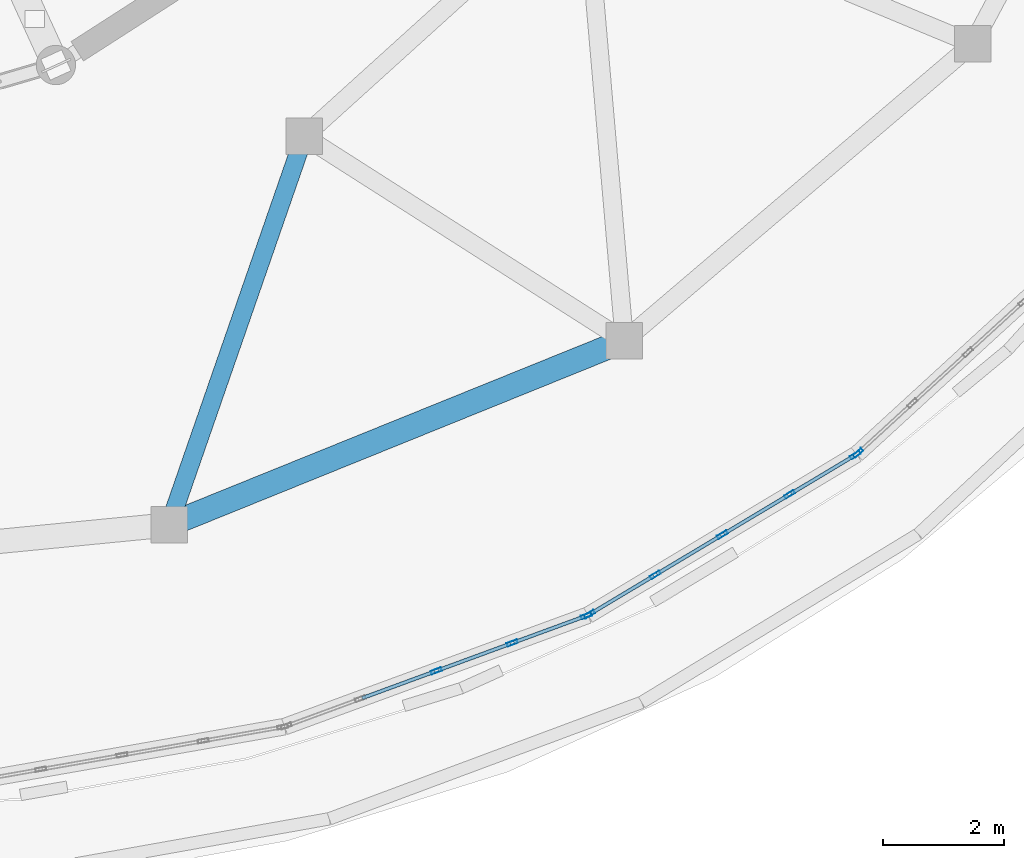
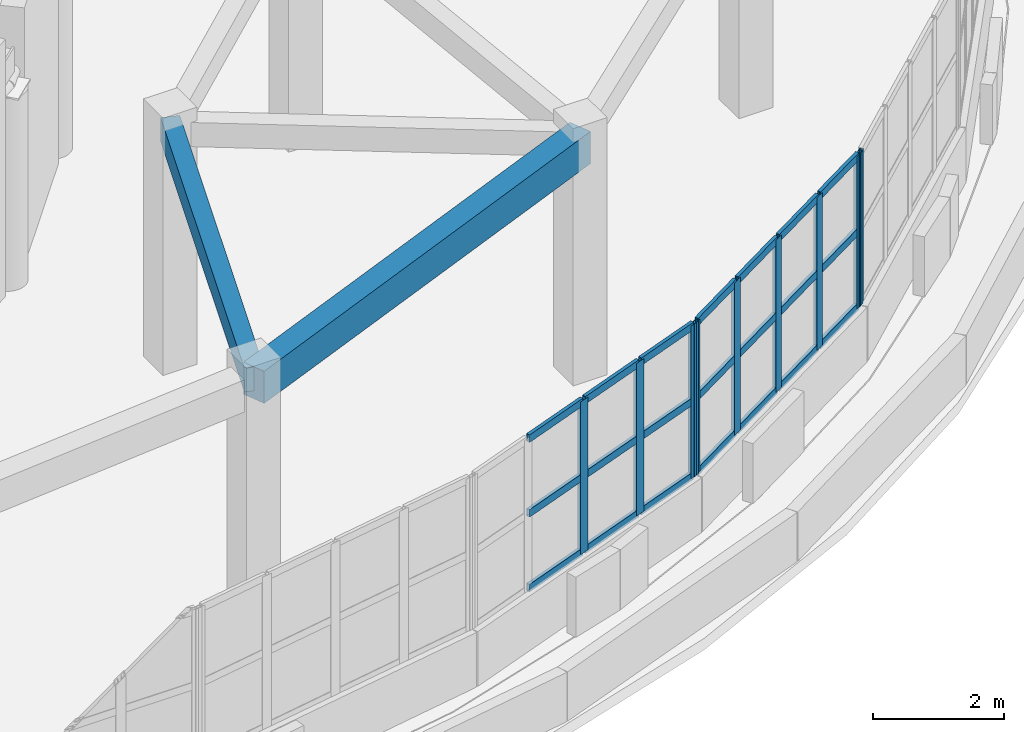
# One storey, part 14 of 69: 30 members, 2 beams, 3 elements without a shape of their own.
"""IFC4 building model written with IfcOpenShell, lengths in metres."""

from ifc_helpers import new_model, si_unit, direction, frame, origin, origin_2d, place, context, subcontext, project, spatial, rectangle, hollow_rectangle, extrude, material, layer, layer_set, material_profile, profile_set, type_object, element, aggregate, save


model = new_model("IFC4")

# Units and contexts
model_context = context("Model", 3, precision=1e-05, world=origin(), true_north=direction((0.0, 1.0)))
body_context = subcontext(model_context, "Body", "Model", "MODEL_VIEW")
ifc_project = project(units=[si_unit("LENGTHUNIT", "METRE"), si_unit("AREAUNIT", "SQUARE_METRE"), si_unit("VOLUMEUNIT", "CUBIC_METRE"), si_unit("PLANEANGLEUNIT", "RADIAN"), si_unit("MASSUNIT", "GRAM", prefix="KILO")], contexts=[model_context])

# Site, building, storey
site_placement = place(None, origin())
site = spatial("IfcSite", under=ifc_project, at=site_placement, CompositionType="ELEMENT")
building_placement = place(site_placement, origin())
building = spatial("IfcBuilding", under=site, at=building_placement, Name="Pelvatis Terrace Science Centre", CompositionType="ELEMENT")
storey_placement = place(building_placement, frame((0.0, 0.0, 15.0)))
storey = spatial("IfcBuildingStorey", under=building, at=storey_placement, Name="L03", CompositionType="ELEMENT", Elevation=15.0)

# Beams
ifc_material_1 = material(Name="Concrete C35/45", Category="concrete")
ifc_material_profile_1 = material_profile(ifc_material_1, rectangle(XDim=0.300048828125, YDim=0.449951171875, at=origin_2d()), Name="RC-BM 300x450")
ifc_profile_set_1 = profile_set([ifc_material_profile_1], Name="Concrete C35/45")
beam_type_1 = type_object("IfcBeamType", Name="BM-RC-300x450", PredefinedType="BEAM", material=ifc_profile_set_1)
beam_1_placement = place(storey_placement, frame((116.3046875, 66.743408203125, 4.324951171875), z_axis=(0.328071814406, 0.944652785203, 0.0), x_axis=(-0.944652785203, 0.328071814406, 0.0)))
element("IfcBeam", 1, at=beam_1_placement, inside=storey, type_object=beam_type_1, Name="Beam BM-L03-3033", PredefinedType="BEAM", context=body_context, shape_type="SweptSolid", body=[
    extrude(rectangle(XDim=0.300048828125, YDim=0.449951171875, at=origin_2d()), origin(), (0.0, 0.0, 1.0), 6.794189453125),
])
ifc_material_2 = material(Name="Concrete C35/45", Category="concrete")
ifc_material_profile_2 = material_profile(ifc_material_2, rectangle(XDim=0.39990234375, YDim=0.60009765625, at=origin_2d()), Name="RC-BM 400x600")
ifc_profile_set_2 = profile_set([ifc_material_profile_2], Name="Concrete C35/45")
beam_type_2 = type_object("IfcBeamType", Name="BM-RC-400x600", PredefinedType="BEAM", material=ifc_profile_set_2)
beam_2_placement = place(storey_placement, frame((116.3046875, 66.743408203125, 4.25), z_axis=(0.926974722929, 0.375123796967, 0.0), x_axis=(-0.375123796967, 0.926974722929, 0.0)))
element("IfcBeam", 2, at=beam_2_placement, inside=storey, type_object=beam_type_2, Name="Beam BM-L03-3032", PredefinedType="BEAM", context=body_context, shape_type="SweptSolid", body=[
    extrude(rectangle(XDim=0.39990234375, YDim=0.60009765625, at=origin_2d()), origin(), (0.0, 0.0, 1.0), 8.11181640625),
])

# Curtain wall, members
ifc_material_3 = material(Name="Bronze-anodised aluminium and laminated glass", Category="aluminium")
ifc_layer = layer(ifc_material_3, 0.179931640625)
ifc_layer_set = layer_set([ifc_layer], Name="Bronze-anodised aluminium and laminated glass")
curtain_wall_type = type_object("IfcCurtainWallType", Name="CW-RIBBON-A", PredefinedType="NOTDEFINED", material=ifc_layer_set)
curtain_wall_1_placement = place(storey_placement, origin())
curtain_wall_1 = element("IfcCurtainWall", 3, at=curtain_wall_1_placement, inside=storey, type_object=curtain_wall_type, Name="Ribbon curtain wall CW-207 (L03)", PredefinedType="NOTDEFINED")
ifc_material_4 = material(Name="Bronze-anodised aluminium 6063-T6", Category="aluminium")
ifc_material_profile_3 = material_profile(ifc_material_4, hollow_rectangle(XDim=0.06005859375, YDim=0.179931640625, WallThickness=0.00390625, at=origin_2d()), Name="ALU-MUL 60x180")
ifc_profile_set_3 = profile_set([ifc_material_profile_3], Name="Bronze-anodised aluminium 6063-T6")
member_type_1 = type_object("IfcMemberType", Name="CWM-60x180", PredefinedType="MULLION", material=ifc_profile_set_3)
member_1_placement = place(storey_placement, frame((120.71826171875, 64.330078125, 1.02001953125), z_axis=(0.0, 0.0, 1.0), x_axis=(-0.34471510549, 0.938707353783, 0.0)))
member_1 = element("IfcMember", 4, at=member_1_placement, type_object=member_type_1, Name="CW-207 mullion 3", PredefinedType="MULLION", context=body_context, shape_type="SweptSolid", body=[
    extrude(hollow_rectangle(XDim=0.06005859375, YDim=0.179931640625, WallThickness=0.00390625, at=origin_2d()), origin(), (0.0, 0.0, 1.0), 2.85009765625),
])
member_2_placement = place(storey_placement, frame((121.9716796875, 64.790283203125, 1.02001953125), z_axis=(0.0, 0.0, 1.0), x_axis=(-0.34471510549, 0.938707353783, 0.0)))
member_2 = element("IfcMember", 5, at=member_2_placement, type_object=member_type_1, Name="CW-207 mullion 4", PredefinedType="MULLION", context=body_context, shape_type="SweptSolid", body=[
    extrude(hollow_rectangle(XDim=0.06005859375, YDim=0.179931640625, WallThickness=0.00390625, at=origin_2d()), origin(), (0.0, 0.0, 1.0), 2.85009765625),
])
member_3_placement = place(storey_placement, frame((123.19677734375, 65.240234375, 1.02001953125), z_axis=(0.0, 0.0, 1.0), x_axis=(-0.34471510549, 0.938707353783, 0.0)))
member_3 = element("IfcMember", 6, at=member_3_placement, type_object=member_type_1, Name="CW-207 mullion 5", PredefinedType="MULLION", context=body_context, shape_type="SweptSolid", body=[
    extrude(hollow_rectangle(XDim=0.06005859375, YDim=0.179931640625, WallThickness=0.00390625, at=origin_2d()), origin(), (0.0, 0.0, 1.0), 2.85009765625),
])

curtain_wall_2_placement = place(storey_placement, origin())
curtain_wall_2 = element("IfcCurtainWall", 7, at=curtain_wall_2_placement, inside=storey, type_object=curtain_wall_type, Name="Ribbon curtain wall CW-208 (L03)", PredefinedType="NOTDEFINED")
member_4_placement = place(storey_placement, frame((123.250732421875, 65.26611328125, 1.02001953125), z_axis=(0.0, 0.0, 1.0), x_axis=(-0.51399559594, 0.857792823096, 0.0)))
member_4 = element("IfcMember", 8, at=member_4_placement, type_object=member_type_1, Name="CW-208 mullion 1", PredefinedType="MULLION", context=body_context, shape_type="SweptSolid", body=[
    extrude(hollow_rectangle(XDim=0.06005859375, YDim=0.179931640625, WallThickness=0.00390625, at=origin_2d()), origin(), (0.0, 0.0, 1.0), 2.85009765625),
])
member_5_placement = place(storey_placement, frame((124.3349609375, 65.915771484375, 1.02001953125), z_axis=(0.0, 0.0, 1.0), x_axis=(-0.51399559594, 0.857792823096, 0.0)))
member_5 = element("IfcMember", 9, at=member_5_placement, type_object=member_type_1, Name="CW-208 mullion 2", PredefinedType="MULLION", context=body_context, shape_type="SweptSolid", body=[
    extrude(hollow_rectangle(XDim=0.06005859375, YDim=0.179931640625, WallThickness=0.00390625, at=origin_2d()), origin(), (0.0, 0.0, 1.0), 2.85009765625),
])
member_6_placement = place(storey_placement, frame((125.44482421875, 66.580810546875, 1.02001953125), z_axis=(0.0, 0.0, 1.0), x_axis=(-0.51399559594, 0.857792823096, 0.0)))
member_6 = element("IfcMember", 10, at=member_6_placement, type_object=member_type_1, Name="CW-208 mullion 3", PredefinedType="MULLION", context=body_context, shape_type="SweptSolid", body=[
    extrude(hollow_rectangle(XDim=0.06005859375, YDim=0.179931640625, WallThickness=0.00390625, at=origin_2d()), origin(), (0.0, 0.0, 1.0), 2.85009765625),
])
member_7_placement = place(storey_placement, frame((126.5546875, 67.245849609375, 1.02001953125), z_axis=(0.0, 0.0, 1.0), x_axis=(-0.51399559594, 0.857792823096, 0.0)))
member_7 = element("IfcMember", 11, at=member_7_placement, type_object=member_type_1, Name="CW-208 mullion 4", PredefinedType="MULLION", context=body_context, shape_type="SweptSolid", body=[
    extrude(hollow_rectangle(XDim=0.06005859375, YDim=0.179931640625, WallThickness=0.00390625, at=origin_2d()), origin(), (0.0, 0.0, 1.0), 2.85009765625),
])
member_8_placement = place(storey_placement, frame((127.638916015625, 67.8955078125, 1.02001953125), z_axis=(0.0, 0.0, 1.0), x_axis=(-0.51399559594, 0.857792823096, 0.0)))
member_8 = element("IfcMember", 12, at=member_8_placement, type_object=member_type_1, Name="CW-208 mullion 5", PredefinedType="MULLION", context=body_context, shape_type="SweptSolid", body=[
    extrude(hollow_rectangle(XDim=0.06005859375, YDim=0.179931640625, WallThickness=0.00390625, at=origin_2d()), origin(), (0.0, 0.0, 1.0), 2.85009765625),
])

# Curtain wall, member
curtain_wall_3_placement = place(storey_placement, origin())
curtain_wall_3 = element("IfcCurtainWall", 13, at=curtain_wall_3_placement, inside=storey, type_object=curtain_wall_type, Name="Ribbon curtain wall CW-209 (L03)", PredefinedType="NOTDEFINED")
member_9_placement = place(storey_placement, frame((127.686767578125, 67.93115234375, 1.02001953125), z_axis=(0.0, 0.0, 1.0), x_axis=(-0.675451772708, 0.737404165127, 0.0)))
member_9 = element("IfcMember", 14, at=member_9_placement, type_object=member_type_1, Name="CW-209 mullion 1", PredefinedType="MULLION", context=body_context, shape_type="SweptSolid", body=[
    extrude(hollow_rectangle(XDim=0.06005859375, YDim=0.179931640625, WallThickness=0.00390625, at=origin_2d()), origin(), (0.0, 0.0, 1.0), 2.85009765625),
])
aggregate(curtain_wall_3, [member_9])

# Member
ifc_material_5 = material(Name="Bronze-anodised aluminium 6063-T6", Category="aluminium")
ifc_material_profile_4 = material_profile(ifc_material_5, hollow_rectangle(XDim=0.06005859375, YDim=0.139892578125, WallThickness=0.00390625, at=origin_2d()), Name="ALU-TRN 60x140")
ifc_profile_set_4 = profile_set([ifc_material_profile_4], Name="Bronze-anodised aluminium 6063-T6")
member_type_2 = type_object("IfcMemberType", Name="CWT-60x140", PredefinedType="USERDEFINED", material=ifc_profile_set_4)
member_10_placement = place(storey_placement, frame((119.4931640625, 63.880126953125, 1.050048828125), z_axis=(0.938676082456, 0.344800249746, 0.0), x_axis=(-0.344800249746, 0.938676082456, 0.0)))
member_10 = element("IfcMember", 15, at=member_10_placement, type_object=member_type_2, Name="CW-207 transom 2.1", ObjectType="TRANSOM", PredefinedType="USERDEFINED", context=body_context, shape_type="SweptSolid", body=[
    extrude(hollow_rectangle(XDim=0.06005859375, YDim=0.139892578125, WallThickness=0.00390625, at=origin_2d()), origin(), (0.0, 0.0, 1.0), 1.275146484375),
])

member_11_placement = place(storey_placement, frame((119.4931640625, 63.880126953125, 2.445068359375), z_axis=(0.938676082456, 0.344800249746, 0.0), x_axis=(-0.344800249746, 0.938676082456, 0.0)))
member_11 = element("IfcMember", 16, at=member_11_placement, type_object=member_type_2, Name="CW-207 transom 2.2", ObjectType="TRANSOM", PredefinedType="USERDEFINED", context=body_context, shape_type="SweptSolid", body=[
    extrude(hollow_rectangle(XDim=0.06005859375, YDim=0.139892578125, WallThickness=0.00390625, at=origin_2d()), origin(), (0.0, 0.0, 1.0), 1.275146484375),
])

member_12_placement = place(storey_placement, frame((119.4931640625, 63.880126953125, 3.840087890625), z_axis=(0.938676082456, 0.344800249746, 0.0), x_axis=(-0.344800249746, 0.938676082456, 0.0)))
member_12 = element("IfcMember", 17, at=member_12_placement, type_object=member_type_2, Name="CW-207 transom 2.3", ObjectType="TRANSOM", PredefinedType="USERDEFINED", context=body_context, shape_type="SweptSolid", body=[
    extrude(hollow_rectangle(XDim=0.06005859375, YDim=0.139892578125, WallThickness=0.00390625, at=origin_2d()), origin(), (0.0, 0.0, 1.0), 1.275146484375),
])

member_13_placement = place(storey_placement, frame((120.74658203125, 64.34033203125, 1.050048828125), z_axis=(0.938676082456, 0.344800249746, 0.0), x_axis=(-0.344800249746, 0.938676082456, 0.0)))
member_13 = element("IfcMember", 18, at=member_13_placement, type_object=member_type_2, Name="CW-207 transom 3.1", ObjectType="TRANSOM", PredefinedType="USERDEFINED", context=body_context, shape_type="SweptSolid", body=[
    extrude(hollow_rectangle(XDim=0.06005859375, YDim=0.139892578125, WallThickness=0.00390625, at=origin_2d()), origin(), (0.0, 0.0, 1.0), 1.275146484375),
])

member_14_placement = place(storey_placement, frame((120.74658203125, 64.34033203125, 2.445068359375), z_axis=(0.938676082456, 0.344800249746, 0.0), x_axis=(-0.344800249746, 0.938676082456, 0.0)))
member_14 = element("IfcMember", 19, at=member_14_placement, type_object=member_type_2, Name="CW-207 transom 3.2", ObjectType="TRANSOM", PredefinedType="USERDEFINED", context=body_context, shape_type="SweptSolid", body=[
    extrude(hollow_rectangle(XDim=0.06005859375, YDim=0.139892578125, WallThickness=0.00390625, at=origin_2d()), origin(), (0.0, 0.0, 1.0), 1.275146484375),
])

member_15_placement = place(storey_placement, frame((120.74658203125, 64.34033203125, 3.840087890625), z_axis=(0.938676082456, 0.344800249746, 0.0), x_axis=(-0.344800249746, 0.938676082456, 0.0)))
member_15 = element("IfcMember", 20, at=member_15_placement, type_object=member_type_2, Name="CW-207 transom 3.3", ObjectType="TRANSOM", PredefinedType="USERDEFINED", context=body_context, shape_type="SweptSolid", body=[
    extrude(hollow_rectangle(XDim=0.06005859375, YDim=0.139892578125, WallThickness=0.00390625, at=origin_2d()), origin(), (0.0, 0.0, 1.0), 1.275146484375),
])

member_16_placement = place(storey_placement, frame((121.999755859375, 64.80078125, 1.050048828125), z_axis=(0.938724140353, 0.344669389879, 0.0), x_axis=(-0.344669389879, 0.938724140353, 0.0)))
member_16 = element("IfcMember", 21, at=member_16_placement, type_object=member_type_2, Name="CW-207 transom 4.1", ObjectType="TRANSOM", PredefinedType="USERDEFINED", context=body_context, shape_type="SweptSolid", body=[
    extrude(hollow_rectangle(XDim=0.06005859375, YDim=0.139892578125, WallThickness=0.00390625, at=origin_2d()), origin(), (0.0, 0.0, 1.0), 1.245361328125),
])

member_17_placement = place(storey_placement, frame((121.999755859375, 64.80078125, 2.445068359375), z_axis=(0.938724140353, 0.344669389879, 0.0), x_axis=(-0.344669389879, 0.938724140353, 0.0)))
member_17 = element("IfcMember", 22, at=member_17_placement, type_object=member_type_2, Name="CW-207 transom 4.2", ObjectType="TRANSOM", PredefinedType="USERDEFINED", context=body_context, shape_type="SweptSolid", body=[
    extrude(hollow_rectangle(XDim=0.06005859375, YDim=0.139892578125, WallThickness=0.00390625, at=origin_2d()), origin(), (0.0, 0.0, 1.0), 1.245361328125),
])

member_18_placement = place(storey_placement, frame((121.999755859375, 64.80078125, 3.840087890625), z_axis=(0.938724140353, 0.344669389879, 0.0), x_axis=(-0.344669389879, 0.938724140353, 0.0)))
member_18 = element("IfcMember", 23, at=member_18_placement, type_object=member_type_2, Name="CW-207 transom 4.3", ObjectType="TRANSOM", PredefinedType="USERDEFINED", context=body_context, shape_type="SweptSolid", body=[
    extrude(hollow_rectangle(XDim=0.06005859375, YDim=0.139892578125, WallThickness=0.00390625, at=origin_2d()), origin(), (0.0, 0.0, 1.0), 1.245361328125),
])

aggregate(curtain_wall_1, [member_1, member_2, member_3, member_10, member_11, member_12, member_13, member_14, member_15, member_16, member_17, member_18])

member_19_placement = place(storey_placement, frame((123.2763671875, 65.281494140625, 1.050048828125), z_axis=(0.857850603365, 0.513899155775, 0.0), x_axis=(-0.513899155775, 0.857850603365, 0.0)))
member_19 = element("IfcMember", 24, at=member_19_placement, type_object=member_type_2, Name="CW-208 transom 1.1", ObjectType="TRANSOM", PredefinedType="USERDEFINED", context=body_context, shape_type="SweptSolid", body=[
    extrude(hollow_rectangle(XDim=0.06005859375, YDim=0.139892578125, WallThickness=0.00390625, at=origin_2d()), origin(), (0.0, 0.0, 1.0), 1.203857421875),
])

member_20_placement = place(storey_placement, frame((123.2763671875, 65.281494140625, 2.445068359375), z_axis=(0.857850603365, 0.513899155775, 0.0), x_axis=(-0.513899155775, 0.857850603365, 0.0)))
member_20 = element("IfcMember", 25, at=member_20_placement, type_object=member_type_2, Name="CW-208 transom 1.2", ObjectType="TRANSOM", PredefinedType="USERDEFINED", context=body_context, shape_type="SweptSolid", body=[
    extrude(hollow_rectangle(XDim=0.06005859375, YDim=0.139892578125, WallThickness=0.00390625, at=origin_2d()), origin(), (0.0, 0.0, 1.0), 1.203857421875),
])

member_21_placement = place(storey_placement, frame((123.2763671875, 65.281494140625, 3.840087890625), z_axis=(0.857850603365, 0.513899155775, 0.0), x_axis=(-0.513899155775, 0.857850603365, 0.0)))
member_21 = element("IfcMember", 26, at=member_21_placement, type_object=member_type_2, Name="CW-208 transom 1.3", ObjectType="TRANSOM", PredefinedType="USERDEFINED", context=body_context, shape_type="SweptSolid", body=[
    extrude(hollow_rectangle(XDim=0.06005859375, YDim=0.139892578125, WallThickness=0.00390625, at=origin_2d()), origin(), (0.0, 0.0, 1.0), 1.203857421875),
])

member_22_placement = place(storey_placement, frame((124.360595703125, 65.93115234375, 1.050048828125), z_axis=(0.857806972288, 0.513971982012, 0.0), x_axis=(-0.513971982012, 0.857806972288, 0.0)))
member_22 = element("IfcMember", 27, at=member_22_placement, type_object=member_type_2, Name="CW-208 transom 2.1", ObjectType="TRANSOM", PredefinedType="USERDEFINED", context=body_context, shape_type="SweptSolid", body=[
    extrude(hollow_rectangle(XDim=0.06005859375, YDim=0.139892578125, WallThickness=0.00390625, at=origin_2d()), origin(), (0.0, 0.0, 1.0), 1.234130859375),
])

member_23_placement = place(storey_placement, frame((124.360595703125, 65.93115234375, 2.445068359375), z_axis=(0.857806972288, 0.513971982012, 0.0), x_axis=(-0.513971982012, 0.857806972288, 0.0)))
member_23 = element("IfcMember", 28, at=member_23_placement, type_object=member_type_2, Name="CW-208 transom 2.2", ObjectType="TRANSOM", PredefinedType="USERDEFINED", context=body_context, shape_type="SweptSolid", body=[
    extrude(hollow_rectangle(XDim=0.06005859375, YDim=0.139892578125, WallThickness=0.00390625, at=origin_2d()), origin(), (0.0, 0.0, 1.0), 1.234130859375),
])

member_24_placement = place(storey_placement, frame((124.360595703125, 65.93115234375, 3.840087890625), z_axis=(0.857806972288, 0.513971982012, 0.0), x_axis=(-0.513971982012, 0.857806972288, 0.0)))
member_24 = element("IfcMember", 29, at=member_24_placement, type_object=member_type_2, Name="CW-208 transom 2.3", ObjectType="TRANSOM", PredefinedType="USERDEFINED", context=body_context, shape_type="SweptSolid", body=[
    extrude(hollow_rectangle(XDim=0.06005859375, YDim=0.139892578125, WallThickness=0.00390625, at=origin_2d()), origin(), (0.0, 0.0, 1.0), 1.234130859375),
])

member_25_placement = place(storey_placement, frame((125.470703125, 66.59619140625, 1.050048828125), z_axis=(0.857754697805, 0.514059216816, 0.0), x_axis=(-0.514059216816, 0.857754697805, 0.0)))
member_25 = element("IfcMember", 30, at=member_25_placement, type_object=member_type_2, Name="CW-208 transom 3.1", ObjectType="TRANSOM", PredefinedType="USERDEFINED", context=body_context, shape_type="SweptSolid", body=[
    extrude(hollow_rectangle(XDim=0.06005859375, YDim=0.139892578125, WallThickness=0.00390625, at=origin_2d()), origin(), (0.0, 0.0, 1.0), 1.23388671875),
])

member_26_placement = place(storey_placement, frame((125.470703125, 66.59619140625, 2.445068359375), z_axis=(0.857754697805, 0.514059216816, 0.0), x_axis=(-0.514059216816, 0.857754697805, 0.0)))
member_26 = element("IfcMember", 31, at=member_26_placement, type_object=member_type_2, Name="CW-208 transom 3.2", ObjectType="TRANSOM", PredefinedType="USERDEFINED", context=body_context, shape_type="SweptSolid", body=[
    extrude(hollow_rectangle(XDim=0.06005859375, YDim=0.139892578125, WallThickness=0.00390625, at=origin_2d()), origin(), (0.0, 0.0, 1.0), 1.23388671875),
])

member_27_placement = place(storey_placement, frame((125.470703125, 66.59619140625, 3.840087890625), z_axis=(0.857754697805, 0.514059216816, 0.0), x_axis=(-0.514059216816, 0.857754697805, 0.0)))
member_27 = element("IfcMember", 32, at=member_27_placement, type_object=member_type_2, Name="CW-208 transom 3.3", ObjectType="TRANSOM", PredefinedType="USERDEFINED", context=body_context, shape_type="SweptSolid", body=[
    extrude(hollow_rectangle(XDim=0.06005859375, YDim=0.139892578125, WallThickness=0.00390625, at=origin_2d()), origin(), (0.0, 0.0, 1.0), 1.23388671875),
])

member_28_placement = place(storey_placement, frame((126.58056640625, 67.26123046875, 1.050048828125), z_axis=(0.857761194899, 0.514048375666, 0.0), x_axis=(-0.514048375666, 0.857761194899, 0.0)))
member_28 = element("IfcMember", 33, at=member_28_placement, type_object=member_type_2, Name="CW-208 transom 4.1", ObjectType="TRANSOM", PredefinedType="USERDEFINED", context=body_context, shape_type="SweptSolid", body=[
    extrude(hollow_rectangle(XDim=0.06005859375, YDim=0.139892578125, WallThickness=0.00390625, at=origin_2d()), origin(), (0.0, 0.0, 1.0), 1.203857421875),
])

member_29_placement = place(storey_placement, frame((126.58056640625, 67.26123046875, 2.445068359375), z_axis=(0.857761194899, 0.514048375666, 0.0), x_axis=(-0.514048375666, 0.857761194899, 0.0)))
member_29 = element("IfcMember", 34, at=member_29_placement, type_object=member_type_2, Name="CW-208 transom 4.2", ObjectType="TRANSOM", PredefinedType="USERDEFINED", context=body_context, shape_type="SweptSolid", body=[
    extrude(hollow_rectangle(XDim=0.06005859375, YDim=0.139892578125, WallThickness=0.00390625, at=origin_2d()), origin(), (0.0, 0.0, 1.0), 1.203857421875),
])

member_30_placement = place(storey_placement, frame((126.58056640625, 67.26123046875, 3.840087890625), z_axis=(0.857761194899, 0.514048375666, 0.0), x_axis=(-0.514048375666, 0.857761194899, 0.0)))
member_30 = element("IfcMember", 35, at=member_30_placement, type_object=member_type_2, Name="CW-208 transom 4.3", ObjectType="TRANSOM", PredefinedType="USERDEFINED", context=body_context, shape_type="SweptSolid", body=[
    extrude(hollow_rectangle(XDim=0.06005859375, YDim=0.139892578125, WallThickness=0.00390625, at=origin_2d()), origin(), (0.0, 0.0, 1.0), 1.203857421875),
])

aggregate(curtain_wall_2, [member_4, member_5, member_6, member_7, member_8, member_19, member_20, member_21, member_22, member_23, member_24, member_25, member_26, member_27, member_28, member_29, member_30])

save(model, "model.ifc")
